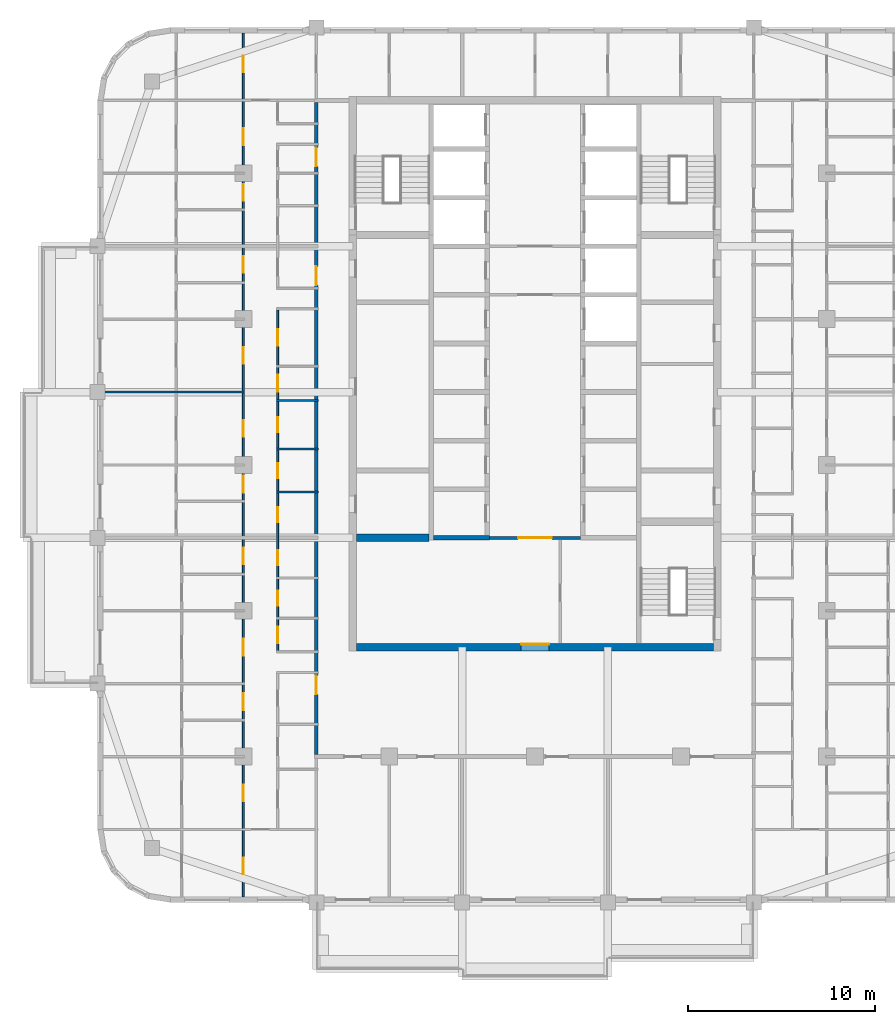
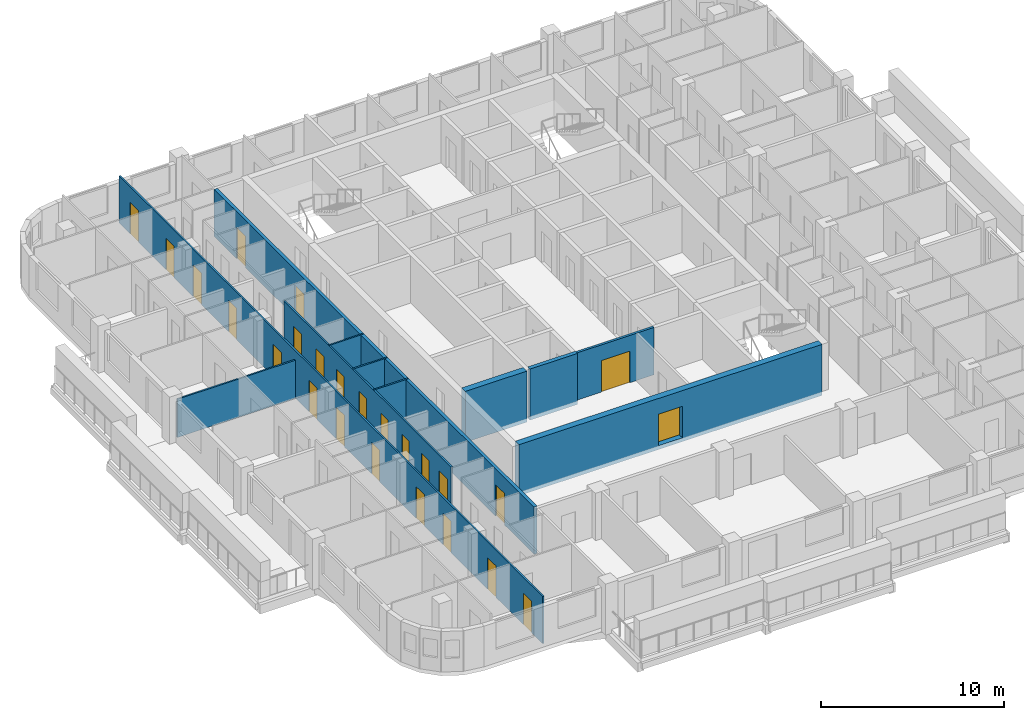
# One storey, part 4 of 16: 25 doors, 11 walls, 25 openings.
"""IFC4 building model written with IfcOpenShell, lengths in metres."""

import ifcopenshell
import ifcopenshell.guid

model = None  # the IFC model being written
_history = None  # IfcOwnerHistory: only IFC2X3 demands one
_inside = {}  # id of a spatial element -> (the spatial element, [elements in it])
_under = {}  # id of a project, library or spatial element -> (it, [spatial elements below it])
_declared = {}  # id of a project -> (the project, [libraries it declares])
_typed = {}  # id of a type object -> (the type object, [elements of that type])
_made_of = {}  # id of a material, layer set ... -> (it, [elements and type objects made of it])


def new_model(schema):
    """Start an empty IFC model of exactly this schema.

    Asked for "IFC4X3", IfcOpenShell would pick the latest addendum, in which some entities
    have other attributes; the version numbers below select the first issue.
    IFC2X3 requires an IfcOwnerHistory on every rooted entity: one is made here for all.
    """
    global model, _history
    if schema == "IFC4X3":
        model = ifcopenshell.file(schema_version=(4, 3, 0, 0))
    else:
        model = ifcopenshell.file(schema=schema)
    _inside.clear()
    _under.clear()
    _declared.clear()
    _typed.clear()
    _made_of.clear()
    _history = None
    if model.schema == "IFC2X3":
        org = make("IfcOrganization", Name="unknown")
        user = make(
            "IfcPersonAndOrganization",
            ThePerson=make("IfcPerson", FamilyName="unknown"),
            TheOrganization=org,
        )
        app = make(
            "IfcApplication",
            ApplicationDeveloper=org,
            Version="unknown",
            ApplicationFullName="unknown",
            ApplicationIdentifier="unknown",
        )
        _history = make(
            "IfcOwnerHistory",
            OwningUser=user,
            OwningApplication=app,
            ChangeAction="ADDED",
            CreationDate=0,
        )
    return model


def make(cls, **values):
    """One entity of the class cls with the attributes given. An attribute that is None is left unset."""
    return model.create_entity(
        cls, **{name: value for name, value in values.items() if value is not None}
    )


def rooted(cls, **values):
    """An entity with a GlobalId (a new one), such as an element, a storey or a relation."""
    return make(cls, GlobalId=ifcopenshell.guid.new(), OwnerHistory=_history, **values)


def si_unit(unit_type, name, prefix=None):
    """IfcSIUnit, for example si_unit("LENGTHUNIT", "METRE", prefix="MILLI")."""
    return make("IfcSIUnit", UnitType=unit_type, Prefix=prefix, Name=name)


def assignment(units):
    """IfcUnitAssignment: the units of a project."""
    return None if units is None else make("IfcUnitAssignment", Units=units)


def point(xyz):
    """IfcCartesianPoint."""
    return None if xyz is None else make("IfcCartesianPoint", Coordinates=xyz)


def direction(xyz):
    """IfcDirection."""
    return None if xyz is None else make("IfcDirection", DirectionRatios=xyz)


def frame(location, z_axis=None, x_axis=None):
    """IfcAxis2Placement3D, a coordinate frame: its origin and axes. An axis left out is left unset."""
    return make(
        "IfcAxis2Placement3D",
        Location=point(location),
        Axis=direction(z_axis),
        RefDirection=direction(x_axis),
    )


def frame_2d(location, x_axis=None):
    """IfcAxis2Placement2D, a coordinate frame in the plane: its origin and x axis."""
    return make(
        "IfcAxis2Placement2D", Location=point(location), RefDirection=direction(x_axis)
    )


def origin():
    """The frame at (0, 0, 0) with its axes left unset."""
    return frame((0.0, 0.0, 0.0))


def place(relative_to, where):
    """IfcLocalPlacement: puts the frame where relative to a parent placement (None: the world)."""
    return make(
        "IfcLocalPlacement", PlacementRelTo=relative_to, RelativePlacement=where
    )


def context(
    kind, dimensions, precision=None, world=None, true_north=None, identifier=None
):
    """IfcGeometricRepresentationContext, for example the 3D "Model" context."""
    return make(
        "IfcGeometricRepresentationContext",
        ContextIdentifier=identifier,
        ContextType=kind,
        CoordinateSpaceDimension=dimensions,
        Precision=precision,
        WorldCoordinateSystem=world,
        TrueNorth=true_north,
    )


def subcontext(parent, identifier, kind, view, scale=None):
    """IfcGeometricRepresentationSubContext, for example "Body" below "Model"."""
    return make(
        "IfcGeometricRepresentationSubContext",
        ContextIdentifier=identifier,
        ContextType=kind,
        ParentContext=parent,
        TargetScale=scale,
        TargetView=view,
    )


def project(units=None, contexts=None):
    """IfcProject with its units and contexts."""
    return rooted(
        "IfcProject",
        Name="project",
        RepresentationContexts=contexts,
        UnitsInContext=assignment(units),
    )


def spatial(cls, under=None, at=None, **own):
    """A site, building, storey or space (cls), placed at a placement, below another one or the project."""
    s = rooted(cls, ObjectPlacement=at, **own)
    if under is not None:
        _under.setdefault(under.id(), (under, []))[1].append(s)
    return s


def profile(cls, at=None, kind="AREA", **sizes):
    """A parametric profile (cls). Its sizes go by their IFC names, for example OverallWidth=200.0."""
    return make(cls, ProfileType=kind, Position=at, **sizes)


def rectangle(**sizes):
    """IfcRectangleProfileDef."""
    return profile("IfcRectangleProfileDef", **sizes)


def extrude(swept, where, along, depth):
    """IfcExtrudedAreaSolid: the profile swept, set in the frame where, extruded along a direction by depth."""
    return make(
        "IfcExtrudedAreaSolid",
        SweptArea=swept,
        Position=where,
        ExtrudedDirection=direction(along),
        Depth=depth,
    )


def shape(context_of_items, identifier, shape_type, items):
    """IfcShapeRepresentation: the items that make up one representation, for example the "Body"."""
    return make(
        "IfcShapeRepresentation",
        ContextOfItems=context_of_items,
        RepresentationIdentifier=identifier,
        RepresentationType=shape_type,
        Items=items,
    )


def material(Name=None, Category=None):
    """IfcMaterial."""
    return make("IfcMaterial", Name=Name, Category=Category)


def layer(
    of_material, thickness, ventilated=None, Name=None, Category=None, Priority=None
):
    """IfcMaterialLayer: one layer of a wall or slab, of a material (None: an air gap)."""
    return make(
        "IfcMaterialLayer",
        Material=of_material,
        LayerThickness=thickness,
        IsVentilated=ventilated,
        Name=Name,
        Category=Category,
        Priority=Priority,
    )


def layer_set(layers, Name=None):
    """IfcMaterialLayerSet."""
    return make("IfcMaterialLayerSet", MaterialLayers=layers, LayerSetName=Name)


def made_of(thing, what):
    """Note that an element or type object is made of a material, layer set ...; save() writes the relation."""
    if what is not None:
        _made_of.setdefault(what.id(), (what, []))[1].append(thing)
    return thing


def type_object(cls, material=None, **own):
    """A type object (cls), such as IfcWallType, which elements share."""
    return made_of(rooted(cls, **own), material)


def element(
    cls,
    number,
    at=None,
    inside=None,
    cuts=None,
    type_object=None,
    material=None,
    context=None,
    identifier="Body",
    shape_type=None,
    held_by="IfcProductDefinitionShape",
    body=None,
    shapes=None,
    **own,
):
    """One element of the class cls, such as IfcWall. Its Tag is "e" and its number.

    at: its placement. inside: the storey or other place that contains it. cuts: it is an
    opening in that element (IfcRelVoidsElement). A single representation is given by context,
    identifier, shape_type and body (its items); several are given by shapes. held_by: the class
    of the entity that holds the representations. save() writes the other relations.
    """
    e = rooted(cls, Tag="e%d" % number, ObjectPlacement=at, **own)
    if body is not None:
        shapes = [shape(context, identifier, shape_type, body)]
    if shapes is not None:
        e.Representation = make(held_by, Representations=shapes)
    if inside is not None:
        _inside.setdefault(inside.id(), (inside, []))[1].append(e)
    if cuts is not None:
        rooted(
            "IfcRelVoidsElement", RelatingBuildingElement=cuts, RelatedOpeningElement=e
        )
    if type_object is not None:
        _typed.setdefault(type_object.id(), (type_object, []))[1].append(e)
    return made_of(e, material)


def fill(opening, filler):
    """IfcRelFillsElement: the door or window that sits in an opening."""
    return rooted(
        "IfcRelFillsElement",
        RelatingOpeningElement=opening,
        RelatedBuildingElement=filler,
    )


def aggregate(whole, parts):
    """IfcRelAggregates: a whole, such as a stair, and the parts it consists of."""
    return rooted("IfcRelAggregates", RelatingObject=whole, RelatedObjects=parts)


def save(model, path):
    """Write the relations noted so far, then the file.

    IfcRelAggregates (storeys below a building ...), IfcRelContainedInSpatialStructure (elements
    in a storey), IfcRelDefinesByType, IfcRelAssociatesMaterial and IfcRelDeclares: one each for
    every whole, place, type object, material and project.
    """
    for whole, parts in _under.values():
        aggregate(whole, parts)
    for where, things in _inside.values():
        rooted(
            "IfcRelContainedInSpatialStructure",
            RelatedElements=things,
            RelatingStructure=where,
        )
    for kind, things in _typed.values():
        rooted("IfcRelDefinesByType", RelatedObjects=things, RelatingType=kind)
    for what, things in _made_of.values():
        rooted("IfcRelAssociatesMaterial", RelatedObjects=things, RelatingMaterial=what)
    for by, libraries in _declared.values():
        rooted("IfcRelDeclares", RelatingContext=by, RelatedDefinitions=libraries)
    model.write(path)


model = new_model("IFC4")

# Units and contexts
model_context = context("Model", 3, precision=1e-05, world=origin(), true_north=direction((0.0, 1.0)))
body_context = subcontext(model_context, "Body", "Model", "MODEL_VIEW")
ifc_project = project(units=[si_unit("LENGTHUNIT", "METRE"), si_unit("AREAUNIT", "SQUARE_METRE"), si_unit("VOLUMEUNIT", "CUBIC_METRE"), si_unit("PLANEANGLEUNIT", "RADIAN"), si_unit("MASSUNIT", "GRAM", prefix="KILO")], contexts=[model_context])

# Site, building, storey
site_placement = place(None, origin())
site = spatial("IfcSite", under=ifc_project, at=site_placement, CompositionType="ELEMENT")
building_placement = place(site_placement, origin())
building = spatial("IfcBuilding", under=site, at=building_placement, Name="Ludao Terraces", CompositionType="ELEMENT")
storey_placement = place(building_placement, frame((0.0, 0.0, 204.10009765625)))
storey = spatial("IfcBuildingStorey", under=building, at=storey_placement, Name="L55", CompositionType="ELEMENT", Elevation=204.10009765625)

# Wall, opening, door
ifc_material_1 = material(Name="Concrete C50", Category="concrete")
ifc_layer_1 = layer(ifc_material_1, 0.39990234375)
ifc_layer_set_1 = layer_set([ifc_layer_1], Name="Core wall 400 C50")
wall_type_1 = type_object("IfcWallType", Name="Core wall 400 C50", PredefinedType="SOLIDWALL", material=ifc_layer_set_1)
wall_1_placement = place(storey_placement, frame((75.449951171875, 55.25, -0.25), z_axis=(0.0, 0.0, 1.0), x_axis=(1.0, 0.0, 0.0)))
wall_1 = element("IfcWall", 1, at=wall_1_placement, inside=storey, type_object=wall_type_1, Name="Core wall L55 outer-S", PredefinedType="SOLIDWALL", context=body_context, shape_type="SweptSolid", body=[
    extrude(rectangle(XDim=19.10009765625, YDim=0.39990234375, at=frame_2d((9.550048828125, 0.0))), origin(), (0.0, 0.0, 1.0), 3.39990234375),
])
opening_1_placement = place(wall_1_placement, frame((8.800048828125, 0.0, 0.25)))
opening_1 = element("IfcOpeningElement", 2, at=opening_1_placement, cuts=wall_1, Name="Opening R20-032", PredefinedType="OPENING", context=body_context, shape_type="SweptSolid", body=[
    extrude(rectangle(XDim=1.5, YDim=2.10009765625, at=frame_2d((0.75, 1.050048828125))), frame((0.0, 0.2099609375, 0.0), z_axis=(0.0, -1.0, 0.0), x_axis=(1.0, 0.0, 0.0)), (0.0, 0.0, 1.0), 0.419921875),
])
ifc_material_2 = material(Name="Steel Q235", Category="steel")
door_type_1 = type_object("IfcDoorType", Name="INT Lobby door 1500", OperationType="DOUBLE_DOOR_SINGLE_SWING", PredefinedType="DOOR", material=ifc_material_2)
door_1_placement = place(opening_1_placement, origin())
door_1 = element("IfcDoor", 3, at=door_1_placement, inside=storey, type_object=door_type_1, Name="DOOR 032", OperationType="DOUBLE_DOOR_SINGLE_SWING", OverallHeight=2.10009765625, OverallWidth=1.5, PredefinedType="DOOR", context=body_context, shape_type="SweptSolid", body=[
    extrude(rectangle(XDim=1.5, YDim=2.10009765625, at=frame_2d((0.75, 1.050048828125))), frame((0.0, 0.18505859375, 0.0), z_axis=(0.0, -1.0, 0.0), x_axis=(1.0, 0.0, 0.0)), (0.0, 0.0, 1.0), 0.050048828125),
])
fill(opening_1, door_1)

ifc_material_3 = material(Name="Fire-rated gypsum plasterboard", Category="gypsum")
ifc_layer_2 = layer(ifc_material_3, 0.012451171875, Category="gypsum")
ifc_material_4 = material(Name="Mineral wool")
ifc_layer_3 = layer(ifc_material_4, 0.10009765625, Name="insulation")
ifc_layer_4 = layer(ifc_material_2, 0.02490234375, Name="stud")
ifc_layer_5 = layer(ifc_material_3, 0.012451171875, Category="gypsum")
ifc_layer_set_2 = layer_set([ifc_layer_2, ifc_layer_3, ifc_layer_4, ifc_layer_5], Name="INT Core partition 150")
wall_type_2 = type_object("IfcWallType", Name="INT Core partition 150", PredefinedType="PARTITIONING", material=ifc_layer_set_2)
wall_2_placement = place(storey_placement, frame((82.5751953125, 61.10009765625, 0.0), z_axis=(0.0, 0.0, 1.0), x_axis=(1.0, 0.0, 0.0)))
wall_2 = element("IfcWall", 4, at=wall_2_placement, inside=storey, type_object=wall_type_2, Name="PW-L55-PW027", PredefinedType="PARTITIONING", context=body_context, shape_type="SweptSolid", body=[
    extrude(rectangle(XDim=4.849853515625, YDim=0.14990234375, at=frame_2d((2.4248046875, 0.0))), origin(), (0.0, 0.0, 1.0), 3.14990234375),
])
opening_2_placement = place(wall_2_placement, frame((1.52490234375, 0.0, 0.0)))
opening_2 = element("IfcOpeningElement", 5, at=opening_2_placement, cuts=wall_2, Name="Opening R20-049", PredefinedType="OPENING", context=body_context, shape_type="SweptSolid", body=[
    extrude(rectangle(XDim=1.800048828125, YDim=2.10009765625, at=frame_2d((0.89990234375, 1.050048828125))), frame((0.0, 0.0849609375, 0.0), z_axis=(0.0, -1.0, 0.0), x_axis=(1.0, 0.0, 0.0)), (0.0, 0.0, 1.0), 0.169921875),
])
door_type_2 = type_object("IfcDoorType", Name="INT Fire lobby door 1800", OperationType="DOUBLE_DOOR_SINGLE_SWING", PredefinedType="DOOR", material=ifc_material_2)
door_2_placement = place(opening_2_placement, origin())
door_2 = element("IfcDoor", 6, at=door_2_placement, inside=storey, type_object=door_type_2, Name="DOOR 049", OperationType="DOUBLE_DOOR_SINGLE_SWING", OverallHeight=2.10009765625, OverallWidth=1.800048828125, PredefinedType="DOOR", context=body_context, shape_type="SweptSolid", body=[
    extrude(rectangle(XDim=1.800048828125, YDim=2.10009765625, at=frame_2d((0.89990234375, 1.050048828125))), frame((0.0, 0.02490234375, 0.0), z_axis=(0.0, -1.0, 0.0), x_axis=(1.0, 0.0, 0.0)), (0.0, 0.0, 1.0), 0.050048828125),
])
fill(opening_2, door_2)

# Wall, openings, doors
ifc_material_5 = material(Name="Autoclaved aerated concrete block B06 A3.5", Category="concrete")
ifc_layer_6 = layer(ifc_material_5, 0.199951171875)
ifc_layer_set_3 = layer_set([ifc_layer_6], Name="INT Entrance wall 200")
wall_type_3 = type_object("IfcWallType", Name="INT Entrance wall 200", PredefinedType="PARTITIONING", material=ifc_layer_set_3)
wall_3_placement = place(storey_placement, frame((73.300048828125, 49.5, 0.0), z_axis=(0.0, 0.0, 1.0), x_axis=(0.0, 1.0, 0.0)))
wall_3 = element("IfcWall", 7, at=wall_3_placement, inside=storey, type_object=wall_type_3, Name="PW-L55-PW078", PredefinedType="PARTITIONING", context=body_context, shape_type="SweptSolid", body=[
    extrude(rectangle(XDim=34.900146484375, YDim=0.199951171875, at=frame_2d((17.4501953125, 0.0))), origin(), (0.0, 0.0, 1.0), 3.14990234375),
])
opening_3_placement = place(wall_3_placement, frame((3.22509765625, 0.0, 0.0)))
opening_3 = element("IfcOpeningElement", 8, at=opening_3_placement, cuts=wall_3, Name="Opening R20-027", PredefinedType="OPENING", context=body_context, shape_type="SweptSolid", body=[
    extrude(rectangle(XDim=1.0, YDim=2.10009765625, at=frame_2d((0.5, 1.050048828125))), frame((0.0, 0.10986328125, 0.0), z_axis=(0.0, -1.0, 0.0), x_axis=(1.0, 0.0, 0.0)), (0.0, 0.0, 1.0), 0.219970703125),
])
opening_4_placement = place(wall_3_placement, frame((25.125, 0.0, 0.0)))
opening_4 = element("IfcOpeningElement", 9, at=opening_4_placement, cuts=wall_3, Name="Opening R20-093", PredefinedType="OPENING", context=body_context, shape_type="SweptSolid", body=[
    extrude(rectangle(XDim=1.0, YDim=2.10009765625, at=frame_2d((0.5, 1.050048828125))), frame((0.0, 0.10986328125, 0.0), z_axis=(0.0, -1.0, 0.0), x_axis=(1.0, 0.0, 0.0)), (0.0, 0.0, 1.0), 0.219970703125),
])
opening_5_placement = place(wall_3_placement, frame((31.47509765625, 0.0, 0.0)))
opening_5 = element("IfcOpeningElement", 10, at=opening_5_placement, cuts=wall_3, Name="Opening R20-121", PredefinedType="OPENING", context=body_context, shape_type="SweptSolid", body=[
    extrude(rectangle(XDim=1.0, YDim=2.10009765625, at=frame_2d((0.5, 1.050048828125))), frame((0.0, 0.10986328125, 0.0), z_axis=(0.0, -1.0, 0.0), x_axis=(1.0, 0.0, 0.0)), (0.0, 0.0, 1.0), 0.219970703125),
])
door_type_3 = type_object("IfcDoorType", Name="INT Flat entrance door 1000", OperationType="SINGLE_SWING_LEFT", PredefinedType="DOOR", material=ifc_material_2)
door_3_placement = place(opening_3_placement, origin())
door_3 = element("IfcDoor", 11, at=door_3_placement, inside=storey, type_object=door_type_3, Name="DOOR 027", OperationType="SINGLE_SWING_LEFT", OverallHeight=2.10009765625, OverallWidth=1.0, PredefinedType="DOOR", context=body_context, shape_type="SweptSolid", body=[
    extrude(rectangle(XDim=1.0, YDim=2.10009765625, at=frame_2d((0.5, 1.050048828125))), frame((0.0, 0.02490234375, 0.0), z_axis=(0.0, -1.0, 0.0), x_axis=(1.0, 0.0, 0.0)), (0.0, 0.0, 1.0), 0.050048828125),
])
fill(opening_3, door_3)
door_4_placement = place(opening_4_placement, origin())
door_4 = element("IfcDoor", 12, at=door_4_placement, inside=storey, type_object=door_type_3, Name="DOOR 093", OperationType="SINGLE_SWING_RIGHT", OverallHeight=2.10009765625, OverallWidth=1.0, PredefinedType="DOOR", context=body_context, shape_type="SweptSolid", body=[
    extrude(rectangle(XDim=1.0, YDim=2.10009765625, at=frame_2d((0.5, 1.050048828125))), frame((0.0, 0.02490234375, 0.0), z_axis=(0.0, -1.0, 0.0), x_axis=(1.0, 0.0, 0.0)), (0.0, 0.0, 1.0), 0.050048828125),
])
fill(opening_4, door_4)
door_5_placement = place(opening_5_placement, origin())
door_5 = element("IfcDoor", 13, at=door_5_placement, inside=storey, type_object=door_type_3, Name="DOOR 121", OperationType="SINGLE_SWING_LEFT", OverallHeight=2.10009765625, OverallWidth=1.0, PredefinedType="DOOR", context=body_context, shape_type="SweptSolid", body=[
    extrude(rectangle(XDim=1.0, YDim=2.10009765625, at=frame_2d((0.5, 1.050048828125))), frame((0.0, 0.02490234375, 0.0), z_axis=(0.0, -1.0, 0.0), x_axis=(1.0, 0.0, 0.0)), (0.0, 0.0, 1.0), 0.050048828125),
])
fill(opening_5, door_5)

# Walls
ifc_material_6 = material(Name="Gypsum plasterboard", Category="gypsum")
ifc_layer_7 = layer(ifc_material_6, 0.012451171875, Category="gypsum")
ifc_layer_8 = layer(ifc_material_4, 0.06005859375, Name="insulation")
ifc_layer_9 = layer(ifc_material_2, 0.014892578125, Name="stud")
ifc_layer_10 = layer(ifc_material_6, 0.012451171875, Category="gypsum")
ifc_layer_set_4 = layer_set([ifc_layer_7, ifc_layer_8, ifc_layer_9, ifc_layer_10], Name="INT Partition 100")
wall_type_4 = type_object("IfcWallType", Name="INT Partition 100", PredefinedType="PARTITIONING", material=ifc_layer_set_4)
for number, where, z_axis, x_axis, name in (
    (14, (71.18017578125, 63.550048828125, 0.0), (0.0, 0.0, 1.0), (1.0, 0.0, 0.0), "PW-L55-PW032"),
    (15, (71.18017578125, 65.85009765625, 0.0), (0.0, 0.0, 1.0), (1.0, 0.0, 0.0), "PW-L55-PW035"),
    (16, (71.18017578125, 68.449951171875, 0.0), (0.0, 0.0, 1.0), (1.0, 0.0, 0.0), "PW-L55-PW037"),
):
    element("IfcWall", number, at=place(storey_placement, frame(where, z_axis=z_axis, x_axis=x_axis)), inside=storey, type_object=wall_type_4, Name=name, PredefinedType="PARTITIONING", context=body_context, shape_type="SweptSolid", body=[
        extrude(rectangle(XDim=2.219970703125, YDim=0.10009765625, at=frame_2d((1.10986328125, 0.0))), origin(), (0.0, 0.0, 1.0), 3.14990234375),
    ])
wall_4_placement = place(storey_placement, frame((61.900146484375, 68.89990234375, 0.0), z_axis=(0.0, 0.0, 1.0), x_axis=(1.0, 0.0, 0.0)))
element("IfcWall", 17, at=wall_4_placement, inside=storey, type_object=wall_type_4, Name="PW-L55-PW038", PredefinedType="PARTITIONING", context=body_context, shape_type="SweptSolid", body=[
    extrude(rectangle(XDim=7.550048828125, YDim=0.10009765625, at=frame_2d((3.77490234375, 0.0))), origin(), (0.0, 0.0, 1.0), 2.5498046875),
])

# Wall, openings, doors
wall_5_placement = place(storey_placement, frame((69.39990234375, 41.900146484375, 0.0), z_axis=(0.0, 0.0, 1.0), x_axis=(0.0, 1.0, 0.0)))
wall_5 = element("IfcWall", 18, at=wall_5_placement, inside=storey, type_object=wall_type_4, Name="PW-L55-PW072", PredefinedType="PARTITIONING", context=body_context, shape_type="SweptSolid", body=[
    extrude(rectangle(XDim=46.199951171875, YDim=0.10009765625, at=frame_2d((23.10009765625, 0.0))), origin(), (0.0, 0.0, 1.0), 3.14990234375),
])
opening_6_placement = place(wall_5_placement, frame((1.199951171875, 0.0, 0.0)))
opening_6 = element("IfcOpeningElement", 19, at=opening_6_placement, cuts=wall_5, Name="Opening R20-002", PredefinedType="OPENING", context=body_context, shape_type="SweptSolid", body=[
    extrude(rectangle(XDim=0.89990234375, YDim=2.10009765625, at=frame_2d((0.449951171875, 1.050048828125))), frame((0.0, 0.06005859375, 0.0), z_axis=(0.0, -1.0, 0.0), x_axis=(1.0, 0.0, 0.0)), (0.0, 0.0, 1.0), 0.1201171875),
])
opening_7_placement = place(wall_5_placement, frame((5.10009765625, 0.0, 0.0)))
opening_7 = element("IfcOpeningElement", 20, at=opening_7_placement, cuts=wall_5, Name="Opening R20-011", PredefinedType="OPENING", context=body_context, shape_type="SweptSolid", body=[
    extrude(rectangle(XDim=0.89990234375, YDim=2.10009765625, at=frame_2d((0.449951171875, 1.050048828125))), frame((0.0, 0.06005859375, 0.0), z_axis=(0.0, -1.0, 0.0), x_axis=(1.0, 0.0, 0.0)), (0.0, 0.0, 1.0), 0.1201171875),
])
opening_8_placement = place(wall_5_placement, frame((9.97509765625, 0.0, 0.0)))
opening_8 = element("IfcOpeningElement", 21, at=opening_8_placement, cuts=wall_5, Name="Opening R20-025", PredefinedType="OPENING", context=body_context, shape_type="SweptSolid", body=[
    extrude(rectangle(XDim=0.89990234375, YDim=2.10009765625, at=frame_2d((0.449951171875, 1.050048828125))), frame((0.0, 0.06005859375, 0.0), z_axis=(0.0, -1.0, 0.0), x_axis=(1.0, 0.0, 0.0)), (0.0, 0.0, 1.0), 0.1201171875),
])
opening_9_placement = place(wall_5_placement, frame((12.89990234375, 0.0, 0.0)))
opening_9 = element("IfcOpeningElement", 22, at=opening_9_placement, cuts=wall_5, Name="Opening R20-031", PredefinedType="OPENING", context=body_context, shape_type="SweptSolid", body=[
    extrude(rectangle(XDim=0.89990234375, YDim=2.10009765625, at=frame_2d((0.449951171875, 1.050048828125))), frame((0.0, 0.06005859375, 0.0), z_axis=(0.0, -1.0, 0.0), x_axis=(1.0, 0.0, 0.0)), (0.0, 0.0, 1.0), 0.1201171875),
])
opening_10_placement = place(wall_5_placement, frame((17.77490234375, 0.0, 0.0)))
opening_10 = element("IfcOpeningElement", 23, at=opening_10_placement, cuts=wall_5, Name="Opening R20-046", PredefinedType="OPENING", context=body_context, shape_type="SweptSolid", body=[
    extrude(rectangle(XDim=0.89990234375, YDim=2.10009765625, at=frame_2d((0.449951171875, 1.050048828125))), frame((0.0, 0.06005859375, 0.0), z_axis=(0.0, -1.0, 0.0), x_axis=(1.0, 0.0, 0.0)), (0.0, 0.0, 1.0), 0.1201171875),
])
opening_11_placement = place(wall_5_placement, frame((21.625, 0.0, 0.0)))
opening_11 = element("IfcOpeningElement", 24, at=opening_11_placement, cuts=wall_5, Name="Opening R20-059", PredefinedType="OPENING", context=body_context, shape_type="SweptSolid", body=[
    extrude(rectangle(XDim=0.89990234375, YDim=2.10009765625, at=frame_2d((0.449951171875, 1.050048828125))), frame((0.0, 0.06005859375, 0.0), z_axis=(0.0, -1.0, 0.0), x_axis=(1.0, 0.0, 0.0)), (0.0, 0.0, 1.0), 0.1201171875),
])
opening_12_placement = place(wall_5_placement, frame((24.60009765625, 0.0, 0.0)))
opening_12 = element("IfcOpeningElement", 25, at=opening_12_placement, cuts=wall_5, Name="Opening R20-067", PredefinedType="OPENING", context=body_context, shape_type="SweptSolid", body=[
    extrude(rectangle(XDim=0.89990234375, YDim=2.10009765625, at=frame_2d((0.449951171875, 1.050048828125))), frame((0.0, 0.06005859375, 0.0), z_axis=(0.0, -1.0, 0.0), x_axis=(1.0, 0.0, 0.0)), (0.0, 0.0, 1.0), 0.1201171875),
])
opening_13_placement = place(wall_5_placement, frame((28.5, 0.0, 0.0)))
opening_13 = element("IfcOpeningElement", 26, at=opening_13_placement, cuts=wall_5, Name="Opening R20-081", PredefinedType="OPENING", context=body_context, shape_type="SweptSolid", body=[
    extrude(rectangle(XDim=0.89990234375, YDim=2.10009765625, at=frame_2d((0.449951171875, 1.050048828125))), frame((0.0, 0.06005859375, 0.0), z_axis=(0.0, -1.0, 0.0), x_axis=(1.0, 0.0, 0.0)), (0.0, 0.0, 1.0), 0.1201171875),
])
opening_14_placement = place(wall_5_placement, frame((33.375, 0.0, 0.0)))
opening_14 = element("IfcOpeningElement", 27, at=opening_14_placement, cuts=wall_5, Name="Opening R20-100", PredefinedType="OPENING", context=body_context, shape_type="SweptSolid", body=[
    extrude(rectangle(XDim=0.89990234375, YDim=2.10009765625, at=frame_2d((0.449951171875, 1.050048828125))), frame((0.0, 0.06005859375, 0.0), z_axis=(0.0, -1.0, 0.0), x_axis=(1.0, 0.0, 0.0)), (0.0, 0.0, 1.0), 0.1201171875),
])
opening_15_placement = place(wall_5_placement, frame((37.22509765625, 0.0, 0.0)))
opening_15 = element("IfcOpeningElement", 28, at=opening_15_placement, cuts=wall_5, Name="Opening R20-114", PredefinedType="OPENING", context=body_context, shape_type="SweptSolid", body=[
    extrude(rectangle(XDim=0.89990234375, YDim=2.10009765625, at=frame_2d((0.449951171875, 1.050048828125))), frame((0.0, 0.06005859375, 0.0), z_axis=(0.0, -1.0, 0.0), x_axis=(1.0, 0.0, 0.0)), (0.0, 0.0, 1.0), 0.1201171875),
])
opening_16_placement = place(wall_5_placement, frame((40.199951171875, 0.0, 0.0)))
opening_16 = element("IfcOpeningElement", 29, at=opening_16_placement, cuts=wall_5, Name="Opening R20-124", PredefinedType="OPENING", context=body_context, shape_type="SweptSolid", body=[
    extrude(rectangle(XDim=0.89990234375, YDim=2.10009765625, at=frame_2d((0.449951171875, 1.050048828125))), frame((0.0, 0.06005859375, 0.0), z_axis=(0.0, -1.0, 0.0), x_axis=(1.0, 0.0, 0.0)), (0.0, 0.0, 1.0), 0.1201171875),
])
opening_17_placement = place(wall_5_placement, frame((44.10009765625, 0.0, 0.0)))
opening_17 = element("IfcOpeningElement", 30, at=opening_17_placement, cuts=wall_5, Name="Opening R20-134", PredefinedType="OPENING", context=body_context, shape_type="SweptSolid", body=[
    extrude(rectangle(XDim=0.89990234375, YDim=2.10009765625, at=frame_2d((0.449951171875, 1.050048828125))), frame((0.0, 0.06005859375, 0.0), z_axis=(0.0, -1.0, 0.0), x_axis=(1.0, 0.0, 0.0)), (0.0, 0.0, 1.0), 0.1201171875),
])
ifc_material_7 = material(Name="Timber door leaf", Category="wood")
door_type_4 = type_object("IfcDoorType", Name="INT Room door 900", OperationType="SINGLE_SWING_LEFT", PredefinedType="DOOR", material=ifc_material_7)
door_6_placement = place(opening_6_placement, origin())
door_6 = element("IfcDoor", 31, at=door_6_placement, inside=storey, type_object=door_type_4, Name="DOOR 002", OperationType="SINGLE_SWING_LEFT", OverallHeight=2.10009765625, OverallWidth=0.89990234375, PredefinedType="DOOR", context=body_context, shape_type="SweptSolid", body=[
    extrude(rectangle(XDim=0.89990234375, YDim=2.10009765625, at=frame_2d((0.449951171875, 1.050048828125))), frame((0.0, 0.02490234375, 0.0), z_axis=(0.0, -1.0, 0.0), x_axis=(1.0, 0.0, 0.0)), (0.0, 0.0, 1.0), 0.050048828125),
])
fill(opening_6, door_6)
door_7_placement = place(opening_7_placement, origin())
door_7 = element("IfcDoor", 32, at=door_7_placement, inside=storey, type_object=door_type_4, Name="DOOR 011", OperationType="SINGLE_SWING_RIGHT", OverallHeight=2.10009765625, OverallWidth=0.89990234375, PredefinedType="DOOR", context=body_context, shape_type="SweptSolid", body=[
    extrude(rectangle(XDim=0.89990234375, YDim=2.10009765625, at=frame_2d((0.449951171875, 1.050048828125))), frame((0.0, 0.02490234375, 0.0), z_axis=(0.0, -1.0, 0.0), x_axis=(1.0, 0.0, 0.0)), (0.0, 0.0, 1.0), 0.050048828125),
])
fill(opening_7, door_7)
door_8_placement = place(opening_8_placement, origin())
door_8 = element("IfcDoor", 33, at=door_8_placement, inside=storey, type_object=door_type_4, Name="DOOR 025", OperationType="SINGLE_SWING_RIGHT", OverallHeight=2.10009765625, OverallWidth=0.89990234375, PredefinedType="DOOR", context=body_context, shape_type="SweptSolid", body=[
    extrude(rectangle(XDim=0.89990234375, YDim=2.10009765625, at=frame_2d((0.449951171875, 1.050048828125))), frame((0.0, 0.02490234375, 0.0), z_axis=(0.0, -1.0, 0.0), x_axis=(1.0, 0.0, 0.0)), (0.0, 0.0, 1.0), 0.050048828125),
])
fill(opening_8, door_8)
door_9_placement = place(opening_9_placement, origin())
door_9 = element("IfcDoor", 34, at=door_9_placement, inside=storey, type_object=door_type_4, Name="DOOR 031", OperationType="SINGLE_SWING_LEFT", OverallHeight=2.10009765625, OverallWidth=0.89990234375, PredefinedType="DOOR", context=body_context, shape_type="SweptSolid", body=[
    extrude(rectangle(XDim=0.89990234375, YDim=2.10009765625, at=frame_2d((0.449951171875, 1.050048828125))), frame((0.0, 0.02490234375, 0.0), z_axis=(0.0, -1.0, 0.0), x_axis=(1.0, 0.0, 0.0)), (0.0, 0.0, 1.0), 0.050048828125),
])
fill(opening_9, door_9)
door_10_placement = place(opening_10_placement, origin())
door_10 = element("IfcDoor", 35, at=door_10_placement, inside=storey, type_object=door_type_4, Name="DOOR 046", OperationType="SINGLE_SWING_LEFT", OverallHeight=2.10009765625, OverallWidth=0.89990234375, PredefinedType="DOOR", context=body_context, shape_type="SweptSolid", body=[
    extrude(rectangle(XDim=0.89990234375, YDim=2.10009765625, at=frame_2d((0.449951171875, 1.050048828125))), frame((0.0, 0.02490234375, 0.0), z_axis=(0.0, -1.0, 0.0), x_axis=(1.0, 0.0, 0.0)), (0.0, 0.0, 1.0), 0.050048828125),
])
fill(opening_10, door_10)
door_11_placement = place(opening_11_placement, origin())
door_11 = element("IfcDoor", 36, at=door_11_placement, inside=storey, type_object=door_type_4, Name="DOOR 059", OperationType="SINGLE_SWING_LEFT", OverallHeight=2.10009765625, OverallWidth=0.89990234375, PredefinedType="DOOR", context=body_context, shape_type="SweptSolid", body=[
    extrude(rectangle(XDim=0.89990234375, YDim=2.10009765625, at=frame_2d((0.449951171875, 1.050048828125))), frame((0.0, 0.02490234375, 0.0), z_axis=(0.0, -1.0, 0.0), x_axis=(1.0, 0.0, 0.0)), (0.0, 0.0, 1.0), 0.050048828125),
])
fill(opening_11, door_11)
door_12_placement = place(opening_12_placement, origin())
door_12 = element("IfcDoor", 37, at=door_12_placement, inside=storey, type_object=door_type_4, Name="DOOR 067", OperationType="SINGLE_SWING_LEFT", OverallHeight=2.10009765625, OverallWidth=0.89990234375, PredefinedType="DOOR", context=body_context, shape_type="SweptSolid", body=[
    extrude(rectangle(XDim=0.89990234375, YDim=2.10009765625, at=frame_2d((0.449951171875, 1.050048828125))), frame((0.0, 0.02490234375, 0.0), z_axis=(0.0, -1.0, 0.0), x_axis=(1.0, 0.0, 0.0)), (0.0, 0.0, 1.0), 0.050048828125),
])
fill(opening_12, door_12)
door_13_placement = place(opening_13_placement, origin())
door_13 = element("IfcDoor", 38, at=door_13_placement, inside=storey, type_object=door_type_4, Name="DOOR 081", OperationType="SINGLE_SWING_RIGHT", OverallHeight=2.10009765625, OverallWidth=0.89990234375, PredefinedType="DOOR", context=body_context, shape_type="SweptSolid", body=[
    extrude(rectangle(XDim=0.89990234375, YDim=2.10009765625, at=frame_2d((0.449951171875, 1.050048828125))), frame((0.0, 0.02490234375, 0.0), z_axis=(0.0, -1.0, 0.0), x_axis=(1.0, 0.0, 0.0)), (0.0, 0.0, 1.0), 0.050048828125),
])
fill(opening_13, door_13)
door_14_placement = place(opening_14_placement, origin())
door_14 = element("IfcDoor", 39, at=door_14_placement, inside=storey, type_object=door_type_4, Name="DOOR 100", OperationType="SINGLE_SWING_RIGHT", OverallHeight=2.10009765625, OverallWidth=0.89990234375, PredefinedType="DOOR", context=body_context, shape_type="SweptSolid", body=[
    extrude(rectangle(XDim=0.89990234375, YDim=2.10009765625, at=frame_2d((0.449951171875, 1.050048828125))), frame((0.0, 0.02490234375, 0.0), z_axis=(0.0, -1.0, 0.0), x_axis=(1.0, 0.0, 0.0)), (0.0, 0.0, 1.0), 0.050048828125),
])
fill(opening_14, door_14)
door_15_placement = place(opening_15_placement, origin())
door_15 = element("IfcDoor", 40, at=door_15_placement, inside=storey, type_object=door_type_4, Name="DOOR 114", OperationType="SINGLE_SWING_LEFT", OverallHeight=2.10009765625, OverallWidth=0.89990234375, PredefinedType="DOOR", context=body_context, shape_type="SweptSolid", body=[
    extrude(rectangle(XDim=0.89990234375, YDim=2.10009765625, at=frame_2d((0.449951171875, 1.050048828125))), frame((0.0, 0.02490234375, 0.0), z_axis=(0.0, -1.0, 0.0), x_axis=(1.0, 0.0, 0.0)), (0.0, 0.0, 1.0), 0.050048828125),
])
fill(opening_15, door_15)
door_16_placement = place(opening_16_placement, origin())
door_16 = element("IfcDoor", 41, at=door_16_placement, inside=storey, type_object=door_type_4, Name="DOOR 124", OperationType="SINGLE_SWING_RIGHT", OverallHeight=2.10009765625, OverallWidth=0.89990234375, PredefinedType="DOOR", context=body_context, shape_type="SweptSolid", body=[
    extrude(rectangle(XDim=0.89990234375, YDim=2.10009765625, at=frame_2d((0.449951171875, 1.050048828125))), frame((0.0, 0.02490234375, 0.0), z_axis=(0.0, -1.0, 0.0), x_axis=(1.0, 0.0, 0.0)), (0.0, 0.0, 1.0), 0.050048828125),
])
fill(opening_16, door_16)
door_17_placement = place(opening_17_placement, origin())
door_17 = element("IfcDoor", 42, at=door_17_placement, inside=storey, type_object=door_type_4, Name="DOOR 134", OperationType="SINGLE_SWING_RIGHT", OverallHeight=2.10009765625, OverallWidth=0.89990234375, PredefinedType="DOOR", context=body_context, shape_type="SweptSolid", body=[
    extrude(rectangle(XDim=0.89990234375, YDim=2.10009765625, at=frame_2d((0.449951171875, 1.050048828125))), frame((0.0, 0.02490234375, 0.0), z_axis=(0.0, -1.0, 0.0), x_axis=(1.0, 0.0, 0.0)), (0.0, 0.0, 1.0), 0.050048828125),
])
fill(opening_17, door_17)

wall_6_placement = place(storey_placement, frame((71.22998046875, 55.050048828125, 0.0), z_axis=(0.0, 0.0, 1.0), x_axis=(0.0, 1.0, 0.0)))
wall_6 = element("IfcWall", 43, at=wall_6_placement, inside=storey, type_object=wall_type_4, Name="PW-L55-PW074", PredefinedType="PARTITIONING", context=body_context, shape_type="SweptSolid", body=[
    extrude(rectangle(XDim=18.25, YDim=0.10009765625, at=frame_2d((9.125, 0.0))), origin(), (0.0, 0.0, 1.0), 3.14990234375),
])
opening_18_placement = place(wall_6_placement, frame((0.39990234375, 0.0, 0.0)))
opening_18 = element("IfcOpeningElement", 44, at=opening_18_placement, cuts=wall_6, Name="Opening R20-033", PredefinedType="OPENING", context=body_context, shape_type="SweptSolid", body=[
    extrude(rectangle(XDim=0.89990234375, YDim=2.10009765625, at=frame_2d((0.449951171875, 1.050048828125))), frame((0.0, 0.06005859375, 0.0), z_axis=(0.0, -1.0, 0.0), x_axis=(1.0, 0.0, 0.0)), (0.0, 0.0, 1.0), 0.1201171875),
])
opening_19_placement = place(wall_6_placement, frame((2.425048828125, 0.0, 0.0)))
opening_19 = element("IfcOpeningElement", 45, at=opening_19_placement, cuts=wall_6, Name="Opening R20-038", PredefinedType="OPENING", context=body_context, shape_type="SweptSolid", body=[
    extrude(rectangle(XDim=0.800048828125, YDim=2.10009765625, at=frame_2d((0.39990234375, 1.050048828125))), frame((0.0, 0.06005859375, 0.0), z_axis=(0.0, -1.0, 0.0), x_axis=(1.0, 0.0, 0.0)), (0.0, 0.0, 1.0), 0.1201171875),
])
opening_20_placement = place(wall_6_placement, frame((4.574951171875, 0.0, 0.0)))
opening_20 = element("IfcOpeningElement", 46, at=opening_20_placement, cuts=wall_6, Name="Opening R20-043", PredefinedType="OPENING", context=body_context, shape_type="SweptSolid", body=[
    extrude(rectangle(XDim=0.800048828125, YDim=2.10009765625, at=frame_2d((0.39990234375, 1.050048828125))), frame((0.0, 0.06005859375, 0.0), z_axis=(0.0, -1.0, 0.0), x_axis=(1.0, 0.0, 0.0)), (0.0, 0.0, 1.0), 0.1201171875),
])
opening_21_placement = place(wall_6_placement, frame((6.875, 0.0, 0.0)))
opening_21 = element("IfcOpeningElement", 47, at=opening_21_placement, cuts=wall_6, Name="Opening R20-052", PredefinedType="OPENING", context=body_context, shape_type="SweptSolid", body=[
    extrude(rectangle(XDim=0.800048828125, YDim=2.10009765625, at=frame_2d((0.39990234375, 1.050048828125))), frame((0.0, 0.06005859375, 0.0), z_axis=(0.0, -1.0, 0.0), x_axis=(1.0, 0.0, 0.0)), (0.0, 0.0, 1.0), 0.1201171875),
])
opening_22_placement = place(wall_6_placement, frame((9.25, 0.0, 0.0)))
opening_22 = element("IfcOpeningElement", 48, at=opening_22_placement, cuts=wall_6, Name="Opening R20-062", PredefinedType="OPENING", context=body_context, shape_type="SweptSolid", body=[
    extrude(rectangle(XDim=0.800048828125, YDim=2.10009765625, at=frame_2d((0.39990234375, 1.050048828125))), frame((0.0, 0.06005859375, 0.0), z_axis=(0.0, -1.0, 0.0), x_axis=(1.0, 0.0, 0.0)), (0.0, 0.0, 1.0), 0.1201171875),
])
opening_23_placement = place(wall_6_placement, frame((11.699951171875, 0.0, 0.0)))
opening_23 = element("IfcOpeningElement", 49, at=opening_23_placement, cuts=wall_6, Name="Opening R20-070", PredefinedType="OPENING", context=body_context, shape_type="SweptSolid", body=[
    extrude(rectangle(XDim=0.800048828125, YDim=2.10009765625, at=frame_2d((0.39990234375, 1.050048828125))), frame((0.0, 0.06005859375, 0.0), z_axis=(0.0, -1.0, 0.0), x_axis=(1.0, 0.0, 0.0)), (0.0, 0.0, 1.0), 0.1201171875),
])
opening_24_placement = place(wall_6_placement, frame((13.864990234375, 0.0, 0.0)))
opening_24 = element("IfcOpeningElement", 50, at=opening_24_placement, cuts=wall_6, Name="Opening R20-076", PredefinedType="OPENING", context=body_context, shape_type="SweptSolid", body=[
    extrude(rectangle(XDim=0.89990234375, YDim=2.10009765625, at=frame_2d((0.449951171875, 1.050048828125))), frame((0.0, 0.06005859375, 0.0), z_axis=(0.0, -1.0, 0.0), x_axis=(1.0, 0.0, 0.0)), (0.0, 0.0, 1.0), 0.1201171875),
])
opening_25_placement = place(wall_6_placement, frame((16.31494140625, 0.0, 0.0)))
opening_25 = element("IfcOpeningElement", 51, at=opening_25_placement, cuts=wall_6, Name="Opening R20-084", PredefinedType="OPENING", context=body_context, shape_type="SweptSolid", body=[
    extrude(rectangle(XDim=0.89990234375, YDim=2.10009765625, at=frame_2d((0.449951171875, 1.050048828125))), frame((0.0, 0.06005859375, 0.0), z_axis=(0.0, -1.0, 0.0), x_axis=(1.0, 0.0, 0.0)), (0.0, 0.0, 1.0), 0.1201171875),
])
door_type_5 = type_object("IfcDoorType", Name="INT Bathroom door 900", OperationType="SINGLE_SWING_LEFT", PredefinedType="DOOR", material=ifc_material_7)
door_18_placement = place(opening_18_placement, origin())
door_18 = element("IfcDoor", 52, at=door_18_placement, inside=storey, type_object=door_type_5, Name="DOOR 033", OperationType="SINGLE_SWING_RIGHT", OverallHeight=2.10009765625, OverallWidth=0.89990234375, PredefinedType="DOOR", context=body_context, shape_type="SweptSolid", body=[
    extrude(rectangle(XDim=0.89990234375, YDim=2.10009765625, at=frame_2d((0.449951171875, 1.050048828125))), frame((0.0, 0.02490234375, 0.0), z_axis=(0.0, -1.0, 0.0), x_axis=(1.0, 0.0, 0.0)), (0.0, 0.0, 1.0), 0.050048828125),
])
fill(opening_18, door_18)
door_19_placement = place(opening_24_placement, origin())
door_19 = element("IfcDoor", 53, at=door_19_placement, inside=storey, type_object=door_type_5, Name="DOOR 076", OperationType="SINGLE_SWING_RIGHT", OverallHeight=2.10009765625, OverallWidth=0.89990234375, PredefinedType="DOOR", context=body_context, shape_type="SweptSolid", body=[
    extrude(rectangle(XDim=0.89990234375, YDim=2.10009765625, at=frame_2d((0.449951171875, 1.050048828125))), frame((0.0, 0.02490234375, 0.0), z_axis=(0.0, -1.0, 0.0), x_axis=(1.0, 0.0, 0.0)), (0.0, 0.0, 1.0), 0.050048828125),
])
fill(opening_24, door_19)
door_20_placement = place(opening_25_placement, origin())
door_20 = element("IfcDoor", 54, at=door_20_placement, inside=storey, type_object=door_type_4, Name="DOOR 084", OperationType="SINGLE_SWING_LEFT", OverallHeight=2.10009765625, OverallWidth=0.89990234375, PredefinedType="DOOR", context=body_context, shape_type="SweptSolid", body=[
    extrude(rectangle(XDim=0.89990234375, YDim=2.10009765625, at=frame_2d((0.449951171875, 1.050048828125))), frame((0.0, 0.02490234375, 0.0), z_axis=(0.0, -1.0, 0.0), x_axis=(1.0, 0.0, 0.0)), (0.0, 0.0, 1.0), 0.050048828125),
])
fill(opening_25, door_20)
door_type_6 = type_object("IfcDoorType", Name="INT Store door 800", OperationType="SINGLE_SWING_LEFT", PredefinedType="DOOR", material=ifc_material_7)
door_21_placement = place(opening_19_placement, origin())
door_21 = element("IfcDoor", 55, at=door_21_placement, inside=storey, type_object=door_type_6, Name="DOOR 038", OperationType="SINGLE_SWING_RIGHT", OverallHeight=2.10009765625, OverallWidth=0.800048828125, PredefinedType="DOOR", context=body_context, shape_type="SweptSolid", body=[
    extrude(rectangle(XDim=0.800048828125, YDim=2.10009765625, at=frame_2d((0.39990234375, 1.050048828125))), frame((0.0, 0.02490234375, 0.0), z_axis=(0.0, -1.0, 0.0), x_axis=(1.0, 0.0, 0.0)), (0.0, 0.0, 1.0), 0.050048828125),
])
fill(opening_19, door_21)
door_22_placement = place(opening_20_placement, origin())
door_22 = element("IfcDoor", 56, at=door_22_placement, inside=storey, type_object=door_type_6, Name="DOOR 043", OperationType="SINGLE_SWING_LEFT", OverallHeight=2.10009765625, OverallWidth=0.800048828125, PredefinedType="DOOR", context=body_context, shape_type="SweptSolid", body=[
    extrude(rectangle(XDim=0.800048828125, YDim=2.10009765625, at=frame_2d((0.39990234375, 1.050048828125))), frame((0.0, 0.02490234375, 0.0), z_axis=(0.0, -1.0, 0.0), x_axis=(1.0, 0.0, 0.0)), (0.0, 0.0, 1.0), 0.050048828125),
])
fill(opening_20, door_22)
door_23_placement = place(opening_21_placement, origin())
door_23 = element("IfcDoor", 57, at=door_23_placement, inside=storey, type_object=door_type_6, Name="DOOR 052", OperationType="SINGLE_SWING_RIGHT", OverallHeight=2.10009765625, OverallWidth=0.800048828125, PredefinedType="DOOR", context=body_context, shape_type="SweptSolid", body=[
    extrude(rectangle(XDim=0.800048828125, YDim=2.10009765625, at=frame_2d((0.39990234375, 1.050048828125))), frame((0.0, 0.02490234375, 0.0), z_axis=(0.0, -1.0, 0.0), x_axis=(1.0, 0.0, 0.0)), (0.0, 0.0, 1.0), 0.050048828125),
])
fill(opening_21, door_23)
door_24_placement = place(opening_22_placement, origin())
door_24 = element("IfcDoor", 58, at=door_24_placement, inside=storey, type_object=door_type_6, Name="DOOR 062", OperationType="SINGLE_SWING_LEFT", OverallHeight=2.10009765625, OverallWidth=0.800048828125, PredefinedType="DOOR", context=body_context, shape_type="SweptSolid", body=[
    extrude(rectangle(XDim=0.800048828125, YDim=2.10009765625, at=frame_2d((0.39990234375, 1.050048828125))), frame((0.0, 0.02490234375, 0.0), z_axis=(0.0, -1.0, 0.0), x_axis=(1.0, 0.0, 0.0)), (0.0, 0.0, 1.0), 0.050048828125),
])
fill(opening_22, door_24)
door_25_placement = place(opening_23_placement, origin())
door_25 = element("IfcDoor", 59, at=door_25_placement, inside=storey, type_object=door_type_6, Name="DOOR 070", OperationType="SINGLE_SWING_RIGHT", OverallHeight=2.10009765625, OverallWidth=0.800048828125, PredefinedType="DOOR", context=body_context, shape_type="SweptSolid", body=[
    extrude(rectangle(XDim=0.800048828125, YDim=2.10009765625, at=frame_2d((0.39990234375, 1.050048828125))), frame((0.0, 0.02490234375, 0.0), z_axis=(0.0, -1.0, 0.0), x_axis=(1.0, 0.0, 0.0)), (0.0, 0.0, 1.0), 0.050048828125),
])
fill(opening_23, door_25)

# Walls
ifc_layer_11 = layer(ifc_material_1, 0.25)
ifc_layer_set_5 = layer_set([ifc_layer_11], Name="Shaft wall 250 C50")
wall_type_5 = type_object("IfcWallType", Name="Shaft wall 250 C50", PredefinedType="SOLIDWALL", material=ifc_layer_set_5)
wall_7_placement = place(storey_placement, frame((79.574951171875, 61.10009765625, -0.25), z_axis=(0.0, 0.0, 1.0), x_axis=(1.0, 0.0, 0.0)))
element("IfcWall", 60, at=wall_7_placement, inside=storey, type_object=wall_type_5, Name="Core wall L55 div-W1", PredefinedType="SOLIDWALL", context=body_context, shape_type="SweptSolid", body=[
    extrude(rectangle(XDim=3.0, YDim=0.25, at=frame_2d((1.5, 0.0))), origin(), (0.0, 0.0, 1.0), 3.39990234375),
])
ifc_layer_12 = layer(ifc_material_1, 0.39990234375)
ifc_layer_set_6 = layer_set([ifc_layer_12], Name="Shaft wall 400 C50")
wall_type_6 = type_object("IfcWallType", Name="Shaft wall 400 C50", PredefinedType="SOLIDWALL", material=ifc_layer_set_6)
wall_8_placement = place(storey_placement, frame((75.449951171875, 61.10009765625, -0.25), z_axis=(0.0, 0.0, 1.0), x_axis=(1.0, 0.0, 0.0)))
element("IfcWall", 61, at=wall_8_placement, inside=storey, type_object=wall_type_6, Name="Core wall L55 hall-W", PredefinedType="SOLIDWALL", context=body_context, shape_type="SweptSolid", body=[
    extrude(rectangle(XDim=3.875, YDim=0.39990234375, at=frame_2d((1.9375, 0.0))), origin(), (0.0, 0.0, 1.0), 3.39990234375),
])

save(model, "model.ifc")
